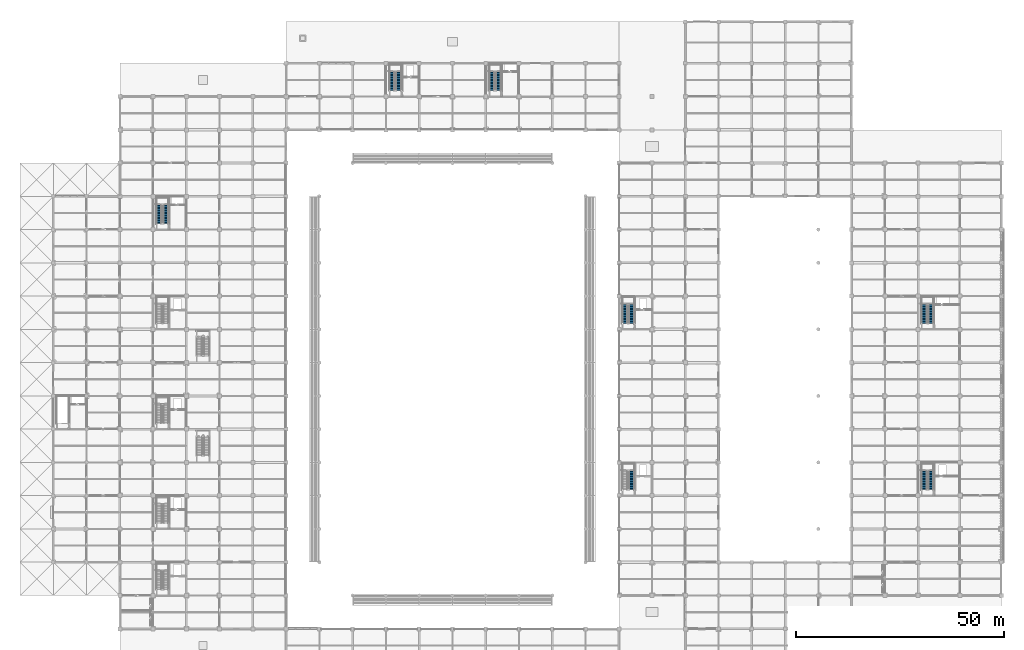
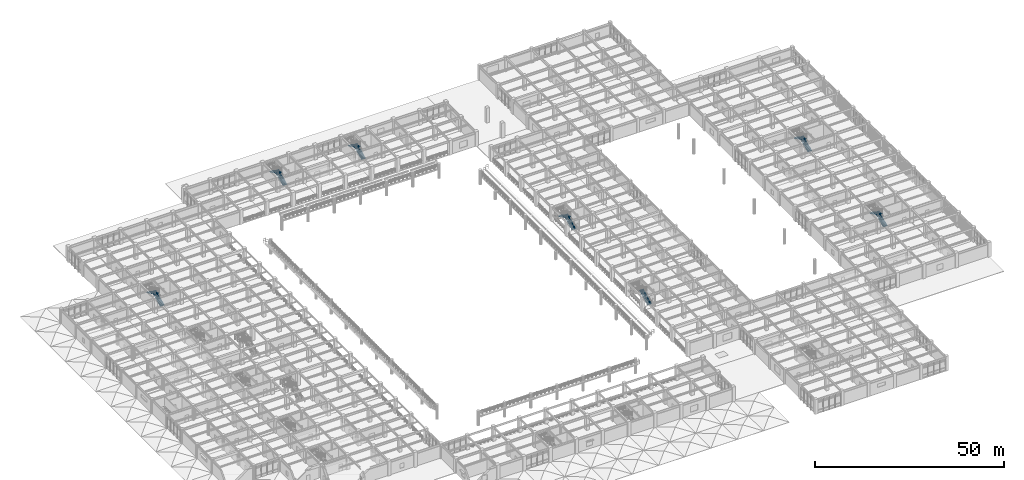
# One storey, part 84 of 109: 13 stair flights, 7 elements without a shape of their own.
"""IFC4 building model written with IfcOpenShell, lengths in metres."""

from ifc_helpers import new_model, si_unit, direction, frame, origin, place, context, subcontext, project, spatial, polyline, outline, extrude, material, type_object, element, aggregate, save


model = new_model("IFC4")

# Units and contexts
model_context = context("Model", 3, precision=1e-05, world=origin(), true_north=direction((0.0, 1.0)))
body_context = subcontext(model_context, "Body", "Model", "MODEL_VIEW")
ifc_project = project(units=[si_unit("LENGTHUNIT", "METRE"), si_unit("AREAUNIT", "SQUARE_METRE"), si_unit("VOLUMEUNIT", "CUBIC_METRE"), si_unit("PLANEANGLEUNIT", "RADIAN"), si_unit("MASSUNIT", "GRAM", prefix="KILO")], contexts=[model_context])

# Site, building, storey
site_placement = place(None, origin())
site = spatial("IfcSite", under=ifc_project, at=site_placement, CompositionType="ELEMENT")
building_placement = place(site_placement, origin())
building = spatial("IfcBuilding", under=site, at=building_placement, Name="Haebicheon Civic Stadium", CompositionType="ELEMENT")
storey_placement = place(building_placement, frame((0.0, 0.0, 9.60009765625)))
storey = spatial("IfcBuildingStorey", under=building, at=storey_placement, Name="L03", CompositionType="ELEMENT", Elevation=9.60009765625)

# Stair, stair flights
ifc_material_1 = material(Name="Concrete C40/50", Category="concrete")
stair_type_1 = type_object("IfcStairType", Name="STR-DL-W126-H48", PredefinedType="HALF_TURN_STAIR", material=ifc_material_1)
stair_1_placement = place(storey_placement, origin())
stair_1 = element("IfcStair", 1, at=stair_1_placement, inside=storey, type_object=stair_type_1, material=ifc_material_1, Name="L03 Escape stair ST-05", PredefinedType="HALF_TURN_STAIR")
ifc_material_2 = material(Name="Concrete C40/50", Category="concrete")
stair_flight_type_1 = type_object("IfcStairFlightType", Name="STF-DL-W126-H48", PredefinedType="STRAIGHT", material=ifc_material_2)
stair_flight_1_placement = place(storey_placement, frame((35.110107421875, 129.449951171875, 0.0), z_axis=(0.0, 0.0, 1.0), x_axis=(0.0, 1.0, 0.0)))
stair_flight_1 = element("IfcStairFlight", 2, at=stair_flight_1_placement, type_object=stair_flight_type_1, material=ifc_material_2, Name="ST-05 flight 1", NumberOfRisers=16, NumberOfTreads=15, PredefinedType="STRAIGHT", RiserHeight=0.15, TreadLength=0.3, context=body_context, shape_type="SweptSolid", body=[
    extrude(outline(polyline([(0.0, 0.0), (0.0, 0.14990234375), (0.300048828125, 0.14990234375), (0.300048828125, 0.300048828125), (0.60009765625, 0.300048828125), (0.60009765625, 0.449951171875), (0.89990234375, 0.449951171875), (0.89990234375, 0.60009765625), (1.199951171875, 0.60009765625), (1.199951171875, 0.75), (1.5, 0.75), (1.5, 0.89990234375), (1.800048828125, 0.89990234375), (1.800048828125, 1.050048828125), (2.10009765625, 1.050048828125), (2.10009765625, 1.199951171875), (2.39990234375, 1.199951171875), (2.39990234375, 1.35009765625), (2.699951171875, 1.35009765625), (2.699951171875, 1.5), (3.0, 1.5), (3.0, 1.64990234375), (3.300048828125, 1.64990234375), (3.300048828125, 1.800048828125), (3.60009765625, 1.800048828125), (3.60009765625, 1.949951171875), (3.89990234375, 1.949951171875), (3.89990234375, 2.10009765625), (4.199951171875, 2.10009765625), (4.199951171875, 2.25), (4.5, 2.25), (4.5, 2.39990234375), (4.5, 2.0712890625), (0.357666015625, 0.0), (0.0, 0.0)])), frame((0.0, 0.6298828125, 0.0), z_axis=(0.0, -1.0, 0.0), x_axis=(1.0, 0.0, 0.0)), (0.0, 0.0, 1.0), 1.260009765625),
])
stair_flight_2_placement = place(storey_placement, frame((33.469970703125, 133.949951171875, 2.39990234375), z_axis=(0.0, 0.0, 1.0), x_axis=(0.0, -1.0, 0.0)))
stair_flight_2 = element("IfcStairFlight", 3, at=stair_flight_2_placement, type_object=stair_flight_type_1, material=ifc_material_2, Name="ST-05 flight 2", NumberOfRisers=16, NumberOfTreads=15, PredefinedType="STRAIGHT", RiserHeight=0.15, TreadLength=0.3, context=body_context, shape_type="SweptSolid", body=[
    extrude(outline(polyline([(0.0, 0.0), (0.0, 0.14990234375), (0.300048828125, 0.14990234375), (0.300048828125, 0.300048828125), (0.60009765625, 0.300048828125), (0.60009765625, 0.449951171875), (0.89990234375, 0.449951171875), (0.89990234375, 0.60009765625), (1.199951171875, 0.60009765625), (1.199951171875, 0.75), (1.5, 0.75), (1.5, 0.89990234375), (1.800048828125, 0.89990234375), (1.800048828125, 1.050048828125), (2.10009765625, 1.050048828125), (2.10009765625, 1.199951171875), (2.39990234375, 1.199951171875), (2.39990234375, 1.35009765625), (2.699951171875, 1.35009765625), (2.699951171875, 1.5), (3.0, 1.5), (3.0, 1.64990234375), (3.300048828125, 1.64990234375), (3.300048828125, 1.800048828125), (3.60009765625, 1.800048828125), (3.60009765625, 1.949951171875), (3.89990234375, 1.949951171875), (3.89990234375, 2.10009765625), (4.199951171875, 2.10009765625), (4.199951171875, 2.25), (4.5, 2.25), (4.5, 2.39990234375), (4.5, 2.0712890625), (0.357666015625, 0.0), (0.0, 0.0)])), frame((0.0, 0.6298828125, 0.0), z_axis=(0.0, -1.0, 0.0), x_axis=(1.0, 0.0, 0.0)), (0.0, 0.0, 1.0), 1.260009765625),
])
aggregate(stair_1, [stair_flight_1, stair_flight_2])

stair_2_placement = place(storey_placement, origin())
stair_2 = element("IfcStair", 4, at=stair_2_placement, inside=storey, type_object=stair_type_1, material=ifc_material_1, Name="L03 Escape stair ST-09", PredefinedType="HALF_TURN_STAIR")
stair_flight_3_placement = place(storey_placement, frame((115.110107421875, 161.449951171875, 0.0), z_axis=(0.0, 0.0, 1.0), x_axis=(0.0, 1.0, 0.0)))
stair_flight_3 = element("IfcStairFlight", 5, at=stair_flight_3_placement, type_object=stair_flight_type_1, material=ifc_material_2, Name="ST-09 flight 1", NumberOfRisers=16, NumberOfTreads=15, PredefinedType="STRAIGHT", RiserHeight=0.15, TreadLength=0.3, context=body_context, shape_type="SweptSolid", body=[
    extrude(outline(polyline([(0.0, 0.0), (0.0, 0.14990234375), (0.300048828125, 0.14990234375), (0.300048828125, 0.300048828125), (0.60009765625, 0.300048828125), (0.60009765625, 0.449951171875), (0.89990234375, 0.449951171875), (0.89990234375, 0.60009765625), (1.199951171875, 0.60009765625), (1.199951171875, 0.75), (1.5, 0.75), (1.5, 0.89990234375), (1.800048828125, 0.89990234375), (1.800048828125, 1.050048828125), (2.10009765625, 1.050048828125), (2.10009765625, 1.199951171875), (2.39990234375, 1.199951171875), (2.39990234375, 1.35009765625), (2.699951171875, 1.35009765625), (2.699951171875, 1.5), (3.0, 1.5), (3.0, 1.64990234375), (3.300048828125, 1.64990234375), (3.300048828125, 1.800048828125), (3.60009765625, 1.800048828125), (3.60009765625, 1.949951171875), (3.89990234375, 1.949951171875), (3.89990234375, 2.10009765625), (4.199951171875, 2.10009765625), (4.199951171875, 2.25), (4.5, 2.25), (4.5, 2.39990234375), (4.5, 2.0712890625), (0.357666015625, 0.0), (0.0, 0.0)])), frame((0.0, 0.6298828125, 0.0), z_axis=(0.0, -1.0, 0.0), x_axis=(1.0, 0.0, 0.0)), (0.0, 0.0, 1.0), 1.260009765625),
])
stair_flight_4_placement = place(storey_placement, frame((113.469970703125, 165.949951171875, 2.39990234375), z_axis=(0.0, 0.0, 1.0), x_axis=(0.0, -1.0, 0.0)))
stair_flight_4 = element("IfcStairFlight", 6, at=stair_flight_4_placement, type_object=stair_flight_type_1, material=ifc_material_2, Name="ST-09 flight 2", NumberOfRisers=16, NumberOfTreads=15, PredefinedType="STRAIGHT", RiserHeight=0.15, TreadLength=0.3, context=body_context, shape_type="SweptSolid", body=[
    extrude(outline(polyline([(0.0, 0.0), (0.0, 0.14990234375), (0.300048828125, 0.14990234375), (0.300048828125, 0.300048828125), (0.60009765625, 0.300048828125), (0.60009765625, 0.449951171875), (0.89990234375, 0.449951171875), (0.89990234375, 0.60009765625), (1.199951171875, 0.60009765625), (1.199951171875, 0.75), (1.5, 0.75), (1.5, 0.89990234375), (1.800048828125, 0.89990234375), (1.800048828125, 1.050048828125), (2.10009765625, 1.050048828125), (2.10009765625, 1.199951171875), (2.39990234375, 1.199951171875), (2.39990234375, 1.35009765625), (2.699951171875, 1.35009765625), (2.699951171875, 1.5), (3.0, 1.5), (3.0, 1.64990234375), (3.300048828125, 1.64990234375), (3.300048828125, 1.800048828125), (3.60009765625, 1.800048828125), (3.60009765625, 1.949951171875), (3.89990234375, 1.949951171875), (3.89990234375, 2.10009765625), (4.199951171875, 2.10009765625), (4.199951171875, 2.25), (4.5, 2.25), (4.5, 2.39990234375), (4.5, 2.0712890625), (0.357666015625, 0.0), (0.0, 0.0)])), frame((0.0, 0.6298828125, 0.0), z_axis=(0.0, -1.0, 0.0), x_axis=(1.0, 0.0, 0.0)), (0.0, 0.0, 1.0), 1.260009765625),
])
aggregate(stair_2, [stair_flight_3, stair_flight_4])

stair_3_placement = place(storey_placement, origin())
stair_3 = element("IfcStair", 7, at=stair_3_placement, inside=storey, type_object=stair_type_1, material=ifc_material_1, Name="L03 Escape stair ST-11", PredefinedType="HALF_TURN_STAIR")
stair_flight_5_placement = place(storey_placement, frame((147.110107421875, 105.449951171875, 0.0), z_axis=(0.0, 0.0, 1.0), x_axis=(0.0, 1.0, 0.0)))
stair_flight_5 = element("IfcStairFlight", 8, at=stair_flight_5_placement, type_object=stair_flight_type_1, material=ifc_material_2, Name="ST-11 flight 1", NumberOfRisers=16, NumberOfTreads=15, PredefinedType="STRAIGHT", RiserHeight=0.15, TreadLength=0.3, context=body_context, shape_type="SweptSolid", body=[
    extrude(outline(polyline([(0.0, 0.0), (0.0, 0.14990234375), (0.300048828125, 0.14990234375), (0.300048828125, 0.300048828125), (0.60009765625, 0.300048828125), (0.60009765625, 0.449951171875), (0.89990234375, 0.449951171875), (0.89990234375, 0.60009765625), (1.199951171875, 0.60009765625), (1.199951171875, 0.75), (1.5, 0.75), (1.5, 0.89990234375), (1.800048828125, 0.89990234375), (1.800048828125, 1.050048828125), (2.10009765625, 1.050048828125), (2.10009765625, 1.199951171875), (2.39990234375, 1.199951171875), (2.39990234375, 1.35009765625), (2.699951171875, 1.35009765625), (2.699951171875, 1.5), (3.0, 1.5), (3.0, 1.64990234375), (3.300048828125, 1.64990234375), (3.300048828125, 1.800048828125), (3.60009765625, 1.800048828125), (3.60009765625, 1.949951171875), (3.89990234375, 1.949951171875), (3.89990234375, 2.10009765625), (4.199951171875, 2.10009765625), (4.199951171875, 2.25), (4.5, 2.25), (4.5, 2.39990234375), (4.5, 2.0712890625), (0.357666015625, 0.0), (0.0, 0.0)])), frame((0.0, 0.6298828125, 0.0), z_axis=(0.0, -1.0, 0.0), x_axis=(1.0, 0.0, 0.0)), (0.0, 0.0, 1.0), 1.260009765625),
])
stair_flight_6_placement = place(storey_placement, frame((145.469970703125, 109.949951171875, 2.39990234375), z_axis=(0.0, 0.0, 1.0), x_axis=(0.0, -1.0, 0.0)))
stair_flight_6 = element("IfcStairFlight", 9, at=stair_flight_6_placement, type_object=stair_flight_type_1, material=ifc_material_2, Name="ST-11 flight 2", NumberOfRisers=16, NumberOfTreads=15, PredefinedType="STRAIGHT", RiserHeight=0.15, TreadLength=0.3, context=body_context, shape_type="SweptSolid", body=[
    extrude(outline(polyline([(0.0, 0.0), (0.0, 0.14990234375), (0.300048828125, 0.14990234375), (0.300048828125, 0.300048828125), (0.60009765625, 0.300048828125), (0.60009765625, 0.449951171875), (0.89990234375, 0.449951171875), (0.89990234375, 0.60009765625), (1.199951171875, 0.60009765625), (1.199951171875, 0.75), (1.5, 0.75), (1.5, 0.89990234375), (1.800048828125, 0.89990234375), (1.800048828125, 1.050048828125), (2.10009765625, 1.050048828125), (2.10009765625, 1.199951171875), (2.39990234375, 1.199951171875), (2.39990234375, 1.35009765625), (2.699951171875, 1.35009765625), (2.699951171875, 1.5), (3.0, 1.5), (3.0, 1.64990234375), (3.300048828125, 1.64990234375), (3.300048828125, 1.800048828125), (3.60009765625, 1.800048828125), (3.60009765625, 1.949951171875), (3.89990234375, 1.949951171875), (3.89990234375, 2.10009765625), (4.199951171875, 2.10009765625), (4.199951171875, 2.25), (4.5, 2.25), (4.5, 2.39990234375), (4.5, 2.0712890625), (0.357666015625, 0.0), (0.0, 0.0)])), frame((0.0, 0.6298828125, 0.0), z_axis=(0.0, -1.0, 0.0), x_axis=(1.0, 0.0, 0.0)), (0.0, 0.0, 1.0), 1.260009765625),
])
aggregate(stair_3, [stair_flight_5, stair_flight_6])

stair_4_placement = place(storey_placement, origin())
stair_4 = element("IfcStair", 10, at=stair_4_placement, inside=storey, type_object=stair_type_1, material=ifc_material_1, Name="L03 Escape stair ST-13", PredefinedType="HALF_TURN_STAIR")
stair_flight_7_placement = place(storey_placement, frame((219.110107421875, 105.449951171875, 0.0), z_axis=(0.0, 0.0, 1.0), x_axis=(0.0, 1.0, 0.0)))
stair_flight_7 = element("IfcStairFlight", 11, at=stair_flight_7_placement, type_object=stair_flight_type_1, material=ifc_material_2, Name="ST-13 flight 1", NumberOfRisers=16, NumberOfTreads=15, PredefinedType="STRAIGHT", RiserHeight=0.15, TreadLength=0.3, context=body_context, shape_type="SweptSolid", body=[
    extrude(outline(polyline([(0.0, 0.0), (0.0, 0.14990234375), (0.300048828125, 0.14990234375), (0.300048828125, 0.300048828125), (0.60009765625, 0.300048828125), (0.60009765625, 0.449951171875), (0.89990234375, 0.449951171875), (0.89990234375, 0.60009765625), (1.199951171875, 0.60009765625), (1.199951171875, 0.75), (1.5, 0.75), (1.5, 0.89990234375), (1.800048828125, 0.89990234375), (1.800048828125, 1.050048828125), (2.10009765625, 1.050048828125), (2.10009765625, 1.199951171875), (2.39990234375, 1.199951171875), (2.39990234375, 1.35009765625), (2.699951171875, 1.35009765625), (2.699951171875, 1.5), (3.0, 1.5), (3.0, 1.64990234375), (3.300048828125, 1.64990234375), (3.300048828125, 1.800048828125), (3.60009765625, 1.800048828125), (3.60009765625, 1.949951171875), (3.89990234375, 1.949951171875), (3.89990234375, 2.10009765625), (4.199951171875, 2.10009765625), (4.199951171875, 2.25), (4.5, 2.25), (4.5, 2.39990234375), (4.5, 2.0712890625), (0.357666015625, 0.0), (0.0, 0.0)])), frame((0.0, 0.6298828125, 0.0), z_axis=(0.0, -1.0, 0.0), x_axis=(1.0, 0.0, 0.0)), (0.0, 0.0, 1.0), 1.260009765625),
])
stair_flight_8_placement = place(storey_placement, frame((217.469970703125, 109.949951171875, 2.39990234375), z_axis=(0.0, 0.0, 1.0), x_axis=(0.0, -1.0, 0.0)))
stair_flight_8 = element("IfcStairFlight", 12, at=stair_flight_8_placement, type_object=stair_flight_type_1, material=ifc_material_2, Name="ST-13 flight 2", NumberOfRisers=16, NumberOfTreads=15, PredefinedType="STRAIGHT", RiserHeight=0.15, TreadLength=0.3, context=body_context, shape_type="SweptSolid", body=[
    extrude(outline(polyline([(0.0, 0.0), (0.0, 0.14990234375), (0.300048828125, 0.14990234375), (0.300048828125, 0.300048828125), (0.60009765625, 0.300048828125), (0.60009765625, 0.449951171875), (0.89990234375, 0.449951171875), (0.89990234375, 0.60009765625), (1.199951171875, 0.60009765625), (1.199951171875, 0.75), (1.5, 0.75), (1.5, 0.89990234375), (1.800048828125, 0.89990234375), (1.800048828125, 1.050048828125), (2.10009765625, 1.050048828125), (2.10009765625, 1.199951171875), (2.39990234375, 1.199951171875), (2.39990234375, 1.35009765625), (2.699951171875, 1.35009765625), (2.699951171875, 1.5), (3.0, 1.5), (3.0, 1.64990234375), (3.300048828125, 1.64990234375), (3.300048828125, 1.800048828125), (3.60009765625, 1.800048828125), (3.60009765625, 1.949951171875), (3.89990234375, 1.949951171875), (3.89990234375, 2.10009765625), (4.199951171875, 2.10009765625), (4.199951171875, 2.25), (4.5, 2.25), (4.5, 2.39990234375), (4.5, 2.0712890625), (0.357666015625, 0.0), (0.0, 0.0)])), frame((0.0, 0.6298828125, 0.0), z_axis=(0.0, -1.0, 0.0), x_axis=(1.0, 0.0, 0.0)), (0.0, 0.0, 1.0), 1.260009765625),
])
aggregate(stair_4, [stair_flight_7, stair_flight_8])

ifc_material_3 = material(Name="Concrete C40/50", Category="concrete")
stair_type_2 = type_object("IfcStairType", Name="STR-DL-W128-H48", PredefinedType="HALF_TURN_STAIR", material=ifc_material_3)
stair_5_placement = place(storey_placement, origin())
stair_5 = element("IfcStair", 13, at=stair_5_placement, inside=storey, type_object=stair_type_2, material=ifc_material_3, Name="L03 Escape stair ST-08", PredefinedType="HALF_TURN_STAIR")
ifc_material_4 = material(Name="Concrete C40/50", Category="concrete")
stair_flight_type_2 = type_object("IfcStairFlightType", Name="STF-DL-W128-H48", PredefinedType="STRAIGHT", material=ifc_material_4)
stair_flight_9_placement = place(storey_placement, frame((91.10009765625, 161.449951171875, 0.0), z_axis=(0.0, 0.0, 1.0), x_axis=(0.0, 1.0, 0.0)))
stair_flight_9 = element("IfcStairFlight", 14, at=stair_flight_9_placement, type_object=stair_flight_type_2, material=ifc_material_4, Name="ST-08 flight 1", NumberOfRisers=16, NumberOfTreads=15, PredefinedType="STRAIGHT", RiserHeight=0.15, TreadLength=0.3, context=body_context, shape_type="SweptSolid", body=[
    extrude(outline(polyline([(0.0, 0.0), (0.0, 0.14990234375), (0.300048828125, 0.14990234375), (0.300048828125, 0.300048828125), (0.60009765625, 0.300048828125), (0.60009765625, 0.449951171875), (0.89990234375, 0.449951171875), (0.89990234375, 0.60009765625), (1.199951171875, 0.60009765625), (1.199951171875, 0.75), (1.5, 0.75), (1.5, 0.89990234375), (1.800048828125, 0.89990234375), (1.800048828125, 1.050048828125), (2.10009765625, 1.050048828125), (2.10009765625, 1.199951171875), (2.39990234375, 1.199951171875), (2.39990234375, 1.35009765625), (2.699951171875, 1.35009765625), (2.699951171875, 1.5), (3.0, 1.5), (3.0, 1.64990234375), (3.300048828125, 1.64990234375), (3.300048828125, 1.800048828125), (3.60009765625, 1.800048828125), (3.60009765625, 1.949951171875), (3.89990234375, 1.949951171875), (3.89990234375, 2.10009765625), (4.199951171875, 2.10009765625), (4.199951171875, 2.25), (4.5, 2.25), (4.5, 2.39990234375), (4.5, 2.0712890625), (0.357666015625, 0.0), (0.0, 0.0)])), frame((0.0, 0.64013671875, 0.0), z_axis=(0.0, -1.0, 0.0), x_axis=(1.0, 0.0, 0.0)), (0.0, 0.0, 1.0), 1.280029296875),
])
stair_flight_10_placement = place(storey_placement, frame((89.47998046875, 165.949951171875, 2.39990234375), z_axis=(0.0, 0.0, 1.0), x_axis=(0.0, -1.0, 0.0)))
stair_flight_10 = element("IfcStairFlight", 15, at=stair_flight_10_placement, type_object=stair_flight_type_2, material=ifc_material_4, Name="ST-08 flight 2", NumberOfRisers=16, NumberOfTreads=15, PredefinedType="STRAIGHT", RiserHeight=0.15, TreadLength=0.3, context=body_context, shape_type="SweptSolid", body=[
    extrude(outline(polyline([(0.0, 0.0), (0.0, 0.14990234375), (0.300048828125, 0.14990234375), (0.300048828125, 0.300048828125), (0.60009765625, 0.300048828125), (0.60009765625, 0.449951171875), (0.89990234375, 0.449951171875), (0.89990234375, 0.60009765625), (1.199951171875, 0.60009765625), (1.199951171875, 0.75), (1.5, 0.75), (1.5, 0.89990234375), (1.800048828125, 0.89990234375), (1.800048828125, 1.050048828125), (2.10009765625, 1.050048828125), (2.10009765625, 1.199951171875), (2.39990234375, 1.199951171875), (2.39990234375, 1.35009765625), (2.699951171875, 1.35009765625), (2.699951171875, 1.5), (3.0, 1.5), (3.0, 1.64990234375), (3.300048828125, 1.64990234375), (3.300048828125, 1.800048828125), (3.60009765625, 1.800048828125), (3.60009765625, 1.949951171875), (3.89990234375, 1.949951171875), (3.89990234375, 2.10009765625), (4.199951171875, 2.10009765625), (4.199951171875, 2.25), (4.5, 2.25), (4.5, 2.39990234375), (4.5, 2.0712890625), (0.357666015625, 0.0), (0.0, 0.0)])), frame((0.0, 0.64013671875, 0.0), z_axis=(0.0, -1.0, 0.0), x_axis=(1.0, 0.0, 0.0)), (0.0, 0.0, 1.0), 1.280029296875),
])
aggregate(stair_5, [stair_flight_9, stair_flight_10])

# Stair, stair flight
stair_6_placement = place(storey_placement, origin())
stair_6 = element("IfcStair", 16, at=stair_6_placement, inside=storey, type_object=stair_type_2, material=ifc_material_3, Name="L03 Escape stair ST-10", PredefinedType="HALF_TURN_STAIR")
stair_flight_11_placement = place(storey_placement, frame((147.10009765625, 65.449951171875, 0.0), z_axis=(0.0, 0.0, 1.0), x_axis=(0.0, 1.0, 0.0)))
stair_flight_11 = element("IfcStairFlight", 17, at=stair_flight_11_placement, type_object=stair_flight_type_2, material=ifc_material_4, Name="ST-10 flight 1", NumberOfRisers=16, NumberOfTreads=15, PredefinedType="STRAIGHT", RiserHeight=0.15, TreadLength=0.3, context=body_context, shape_type="SweptSolid", body=[
    extrude(outline(polyline([(0.0, 0.0), (0.0, 0.14990234375), (0.300048828125, 0.14990234375), (0.300048828125, 0.300048828125), (0.60009765625, 0.300048828125), (0.60009765625, 0.449951171875), (0.89990234375, 0.449951171875), (0.89990234375, 0.60009765625), (1.199951171875, 0.60009765625), (1.199951171875, 0.75), (1.5, 0.75), (1.5, 0.89990234375), (1.800048828125, 0.89990234375), (1.800048828125, 1.050048828125), (2.10009765625, 1.050048828125), (2.10009765625, 1.199951171875), (2.39990234375, 1.199951171875), (2.39990234375, 1.35009765625), (2.699951171875, 1.35009765625), (2.699951171875, 1.5), (3.0, 1.5), (3.0, 1.64990234375), (3.300048828125, 1.64990234375), (3.300048828125, 1.800048828125), (3.60009765625, 1.800048828125), (3.60009765625, 1.949951171875), (3.89990234375, 1.949951171875), (3.89990234375, 2.10009765625), (4.199951171875, 2.10009765625), (4.199951171875, 2.25), (4.5, 2.25), (4.5, 2.39990234375), (4.5, 2.0712890625), (0.357666015625, 0.0), (0.0, 0.0)])), frame((0.0, 0.64013671875, 0.0), z_axis=(0.0, -1.0, 0.0), x_axis=(1.0, 0.0, 0.0)), (0.0, 0.0, 1.0), 1.280029296875),
])
aggregate(stair_6, [stair_flight_11])

# Stair, stair flights
stair_7_placement = place(storey_placement, origin())
stair_7 = element("IfcStair", 18, at=stair_7_placement, inside=storey, type_object=stair_type_2, material=ifc_material_3, Name="L03 Escape stair ST-12", PredefinedType="HALF_TURN_STAIR")
stair_flight_12_placement = place(storey_placement, frame((219.10009765625, 65.449951171875, 0.0), z_axis=(0.0, 0.0, 1.0), x_axis=(0.0, 1.0, 0.0)))
stair_flight_12 = element("IfcStairFlight", 19, at=stair_flight_12_placement, type_object=stair_flight_type_2, material=ifc_material_4, Name="ST-12 flight 1", NumberOfRisers=16, NumberOfTreads=15, PredefinedType="STRAIGHT", RiserHeight=0.15, TreadLength=0.3, context=body_context, shape_type="SweptSolid", body=[
    extrude(outline(polyline([(0.0, 0.0), (0.0, 0.14990234375), (0.300048828125, 0.14990234375), (0.300048828125, 0.300048828125), (0.60009765625, 0.300048828125), (0.60009765625, 0.449951171875), (0.89990234375, 0.449951171875), (0.89990234375, 0.60009765625), (1.199951171875, 0.60009765625), (1.199951171875, 0.75), (1.5, 0.75), (1.5, 0.89990234375), (1.800048828125, 0.89990234375), (1.800048828125, 1.050048828125), (2.10009765625, 1.050048828125), (2.10009765625, 1.199951171875), (2.39990234375, 1.199951171875), (2.39990234375, 1.35009765625), (2.699951171875, 1.35009765625), (2.699951171875, 1.5), (3.0, 1.5), (3.0, 1.64990234375), (3.300048828125, 1.64990234375), (3.300048828125, 1.800048828125), (3.60009765625, 1.800048828125), (3.60009765625, 1.949951171875), (3.89990234375, 1.949951171875), (3.89990234375, 2.10009765625), (4.199951171875, 2.10009765625), (4.199951171875, 2.25), (4.5, 2.25), (4.5, 2.39990234375), (4.5, 2.0712890625), (0.357666015625, 0.0), (0.0, 0.0)])), frame((0.0, 0.64013671875, 0.0), z_axis=(0.0, -1.0, 0.0), x_axis=(1.0, 0.0, 0.0)), (0.0, 0.0, 1.0), 1.280029296875),
])
stair_flight_13_placement = place(storey_placement, frame((217.47998046875, 69.949951171875, 2.39990234375), z_axis=(0.0, 0.0, 1.0), x_axis=(0.0, -1.0, 0.0)))
stair_flight_13 = element("IfcStairFlight", 20, at=stair_flight_13_placement, type_object=stair_flight_type_2, material=ifc_material_4, Name="ST-12 flight 2", NumberOfRisers=16, NumberOfTreads=15, PredefinedType="STRAIGHT", RiserHeight=0.15, TreadLength=0.3, context=body_context, shape_type="SweptSolid", body=[
    extrude(outline(polyline([(0.0, 0.0), (0.0, 0.14990234375), (0.300048828125, 0.14990234375), (0.300048828125, 0.300048828125), (0.60009765625, 0.300048828125), (0.60009765625, 0.449951171875), (0.89990234375, 0.449951171875), (0.89990234375, 0.60009765625), (1.199951171875, 0.60009765625), (1.199951171875, 0.75), (1.5, 0.75), (1.5, 0.89990234375), (1.800048828125, 0.89990234375), (1.800048828125, 1.050048828125), (2.10009765625, 1.050048828125), (2.10009765625, 1.199951171875), (2.39990234375, 1.199951171875), (2.39990234375, 1.35009765625), (2.699951171875, 1.35009765625), (2.699951171875, 1.5), (3.0, 1.5), (3.0, 1.64990234375), (3.300048828125, 1.64990234375), (3.300048828125, 1.800048828125), (3.60009765625, 1.800048828125), (3.60009765625, 1.949951171875), (3.89990234375, 1.949951171875), (3.89990234375, 2.10009765625), (4.199951171875, 2.10009765625), (4.199951171875, 2.25), (4.5, 2.25), (4.5, 2.39990234375), (4.5, 2.0712890625), (0.357666015625, 0.0), (0.0, 0.0)])), frame((0.0, 0.64013671875, 0.0), z_axis=(0.0, -1.0, 0.0), x_axis=(1.0, 0.0, 0.0)), (0.0, 0.0, 1.0), 1.280029296875),
])
aggregate(stair_7, [stair_flight_12, stair_flight_13])

save(model, "model.ifc")
